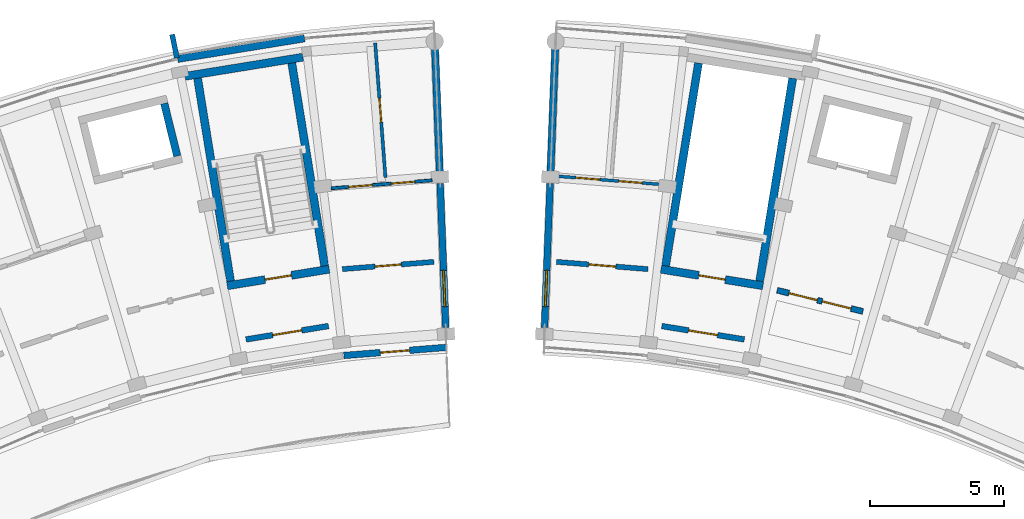
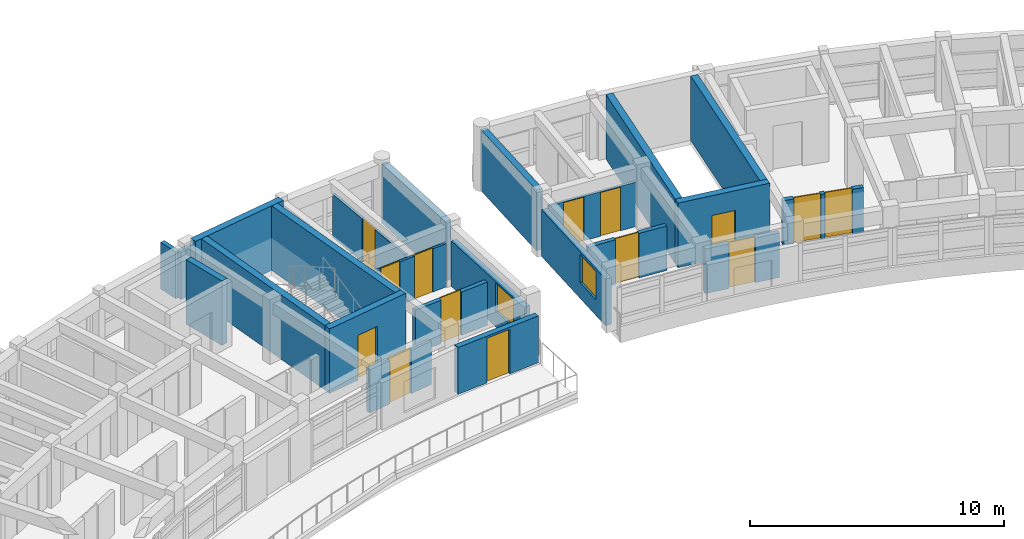
# One storey, part 16 of 23: 23 walls, 14 doors, 2 windows, 16 openings.
"""IFC4 building model written with IfcOpenShell, lengths in metres."""

from ifc_helpers import new_model, si_unit, direction, frame, frame_2d, origin, place, context, subcontext, project, spatial, rectangle, extrude, material, layer, layer_set, type_object, element, fill, save


model = new_model("IFC4")

# Units and contexts
model_context = context("Model", 3, precision=1e-05, world=origin(), true_north=direction((0.0, 1.0)))
body_context = subcontext(model_context, "Body", "Model", "MODEL_VIEW")
ifc_project = project(units=[si_unit("LENGTHUNIT", "METRE"), si_unit("AREAUNIT", "SQUARE_METRE"), si_unit("VOLUMEUNIT", "CUBIC_METRE"), si_unit("PLANEANGLEUNIT", "RADIAN"), si_unit("MASSUNIT", "GRAM", prefix="KILO")], contexts=[model_context])

# Site, building, storey
site_placement = place(None, origin())
site = spatial("IfcSite", under=ifc_project, at=site_placement, CompositionType="ELEMENT")
building_placement = place(site_placement, origin())
building = spatial("IfcBuilding", under=site, at=building_placement, Name="Zimvara Arc Housing Community", CompositionType="ELEMENT")
storey_placement = place(building_placement, frame((0.0, 0.0, 36.0)))
storey = spatial("IfcBuildingStorey", under=building, at=storey_placement, Name="L11", CompositionType="ELEMENT", Elevation=36.0)

# Wall, opening, window
ifc_material_1 = material(Name="Board-Marked Fair-Faced Concrete C35/45", Category="concrete")
ifc_layer_1 = layer(ifc_material_1, 0.2548828125)
ifc_layer_set_1 = layer_set([ifc_layer_1], Name="Board-Marked Fair-Faced Concrete C35/45")
wall_type_1 = type_object("IfcWallType", Name="EWL-CONC-255", PredefinedType="SOLIDWALL", material=ifc_layer_set_1)
wall_1_placement = place(storey_placement, frame((43.151123046875, 92.62451171875, 0.0), z_axis=(0.0, 0.0, 1.0), x_axis=(-0.038384504742, 0.999263043345, 0.0)))
wall_1 = element("IfcWall", 1, at=wall_1_placement, inside=storey, type_object=wall_type_1, Name="ewall:blkA:L11:gN", PredefinedType="SOLIDWALL", context=body_context, shape_type="SweptSolid", body=[
    extrude(rectangle(XDim=5.39990234375, YDim=0.2548828125, at=frame_2d((2.699951171875, 0.0))), origin(), (0.0, 0.0, 1.0), 2.179931640625),
])
opening_1_placement = place(wall_1_placement, frame((0.7900390625, 0.0, 0.75)))
opening_1 = element("IfcOpeningElement", 2, at=opening_1_placement, cuts=wall_1, Name="Opening W12", PredefinedType="OPENING", context=body_context, shape_type="SweptSolid", body=[
    extrude(rectangle(XDim=1.35009765625, YDim=1.35009765625, at=frame_2d((0.675048828125, 0.675048828125))), frame((0.0, 0.137451171875, 0.0), z_axis=(0.0, -1.0, 0.0), x_axis=(1.0, 0.0, 0.0)), (0.0, 0.0, 1.0), 0.27490234375),
])
ifc_material_2 = material(Name="Solar Control Low-E Double Glazing", Category="glass")
window_type = type_object("IfcWindowType", Name="WIN-RES-1350x1350", PartitioningType="DOUBLE_PANEL_VERTICAL", PredefinedType="WINDOW", material=ifc_material_2)
window_1_placement = place(opening_1_placement, origin())
window_1 = element("IfcWindow", 3, at=window_1_placement, inside=storey, type_object=window_type, Name="win:blkA:L11:gN:w", OverallHeight=1.35009765625, OverallWidth=1.35009765625, PartitioningType="DOUBLE_PANEL_VERTICAL", PredefinedType="WINDOW", context=body_context, shape_type="SweptSolid", body=[
    extrude(rectangle(XDim=1.35009765625, YDim=1.35009765625, at=frame_2d((0.675048828125, 0.675048828125))), frame((0.0, 0.030029296875, 0.0), z_axis=(0.0, -1.0, 0.0), x_axis=(1.0, 0.0, 0.0)), (0.0, 0.0, 1.0), 0.06005859375),
])
fill(opening_1, window_1)

wall_2_placement = place(storey_placement, frame((46.848876953125, 92.62451171875, 0.0), z_axis=(0.0, 0.0, 1.0), x_axis=(0.038384504742, 0.999263043345, 0.0)))
wall_2 = element("IfcWall", 4, at=wall_2_placement, inside=storey, type_object=wall_type_1, Name="ewall:blkB:L11:g0", PredefinedType="SOLIDWALL", context=body_context, shape_type="SweptSolid", body=[
    extrude(rectangle(XDim=5.39990234375, YDim=0.2548828125, at=frame_2d((2.699951171875, 0.0))), origin(), (0.0, 0.0, 1.0), 2.239990234375),
])
opening_2_placement = place(wall_2_placement, frame((0.7900390625, 0.0, 0.75)))
opening_2 = element("IfcOpeningElement", 5, at=opening_2_placement, cuts=wall_2, Name="Opening W12", PredefinedType="OPENING", context=body_context, shape_type="SweptSolid", body=[
    extrude(rectangle(XDim=1.35009765625, YDim=1.35009765625, at=frame_2d((0.675048828125, 0.675048828125))), frame((0.0, 0.137451171875, 0.0), z_axis=(0.0, -1.0, 0.0), x_axis=(1.0, 0.0, 0.0)), (0.0, 0.0, 1.0), 0.27490234375),
])
window_2_placement = place(opening_2_placement, origin())
window_2 = element("IfcWindow", 6, at=window_2_placement, inside=storey, type_object=window_type, Name="win:blkB:L11:g0:w", OverallHeight=1.35009765625, OverallWidth=1.35009765625, PartitioningType="DOUBLE_PANEL_VERTICAL", PredefinedType="WINDOW", context=body_context, shape_type="SweptSolid", body=[
    extrude(rectangle(XDim=1.35009765625, YDim=1.35009765625, at=frame_2d((0.675048828125, 0.675048828125))), frame((0.0, 0.030029296875, 0.0), z_axis=(0.0, -1.0, 0.0), x_axis=(1.0, 0.0, 0.0)), (0.0, 0.0, 1.0), 0.06005859375),
])
fill(opening_2, window_2)

# Wall
ifc_material_3 = material(Name="Board-Marked Fair-Faced Concrete C35/45", Category="concrete")
ifc_layer_2 = layer(ifc_material_3, 0.195068359375)
ifc_layer_set_2 = layer_set([ifc_layer_2], Name="Board-Marked Fair-Faced Concrete C35/45")
wall_type_2 = type_object("IfcWallType", Name="EWL-PARA-195", PredefinedType="PARAPET", material=ifc_layer_set_2)
wall_3_placement = place(storey_placement, frame((33.092529296875, 102.714599609375, 0.0), z_axis=(0.0, 0.0, 1.0), x_axis=(-0.200183211319, 0.979758481416, 0.0)))
element("IfcWall", 7, at=wall_3_placement, inside=storey, type_object=wall_type_2, Name="finwall:blkA:L11:out:b8", PredefinedType="PARAPET", context=body_context, shape_type="SweptSolid", body=[
    extrude(rectangle(XDim=0.900146484375, YDim=0.195068359375, at=frame_2d((0.4501953125, 0.0))), origin(), (0.0, 0.0, 1.0), 2.25),
])

# Wall, opening, door
ifc_material_4 = material(Name="Pigmented Fair-Faced Concrete C35/45", Category="concrete")
ifc_layer_3 = layer(ifc_material_4, 0.2451171875)
ifc_layer_set_3 = layer_set([ifc_layer_3], Name="Pigmented Fair-Faced Concrete C35/45")
wall_type_3 = type_object("IfcWallType", Name="EWL-PIGM-245", PredefinedType="SOLIDWALL", material=ifc_layer_set_3)
wall_4_placement = place(storey_placement, frame((39.339599609375, 91.580078125, 0.0), z_axis=(0.0, 0.0, 1.0), x_axis=(0.996859487839, 0.07919066552, 0.0)))
wall_4 = element("IfcWall", 8, at=wall_4_placement, inside=storey, type_object=wall_type_3, Name="ewall:blkA:L11:in:b9", PredefinedType="SOLIDWALL", context=body_context, shape_type="SweptSolid", body=[
    extrude(rectangle(XDim=3.83203125, YDim=0.2451171875, at=frame_2d((1.916015625, 0.0))), origin(), (0.0, 0.0, 1.0), 2.25),
])
opening_3_placement = place(wall_4_placement, frame((1.3662109375, 0.0, 0.0)))
opening_3 = element("IfcOpeningElement", 9, at=opening_3_placement, cuts=wall_4, Name="Opening ED06", PredefinedType="OPENING", context=body_context, shape_type="SweptSolid", body=[
    extrude(rectangle(XDim=1.10009765625, YDim=2.14990234375, at=frame_2d((0.550048828125, 1.074951171875))), frame((0.0, 0.132568359375, 0.0), z_axis=(0.0, -1.0, 0.0), x_axis=(1.0, 0.0, 0.0)), (0.0, 0.0, 1.0), 0.26513671875),
])
ifc_material_5 = material(Name="Anodised Aluminium AW-6063", Category="aluminium")
door_type_1 = type_object("IfcDoorType", Name="EDR-TERR-1100x2150", OperationType="NOTDEFINED", PredefinedType="DOOR", material=ifc_material_5)
door_1_placement = place(opening_3_placement, origin())
door_1 = element("IfcDoor", 10, at=door_1_placement, inside=storey, type_object=door_type_1, Name="edoor:blkA:L11:terr:b9", OperationType="SINGLE_SWING_LEFT", OverallHeight=2.14990234375, OverallWidth=1.10009765625, PredefinedType="DOOR", context=body_context, shape_type="SweptSolid", body=[
    extrude(rectangle(XDim=1.10009765625, YDim=2.14990234375, at=frame_2d((0.550048828125, 1.074951171875))), frame((0.0, 0.02490234375, 0.0), z_axis=(0.0, -1.0, 0.0), x_axis=(1.0, 0.0, 0.0)), (0.0, 0.0, 1.0), 0.050048828125),
])
fill(opening_3, door_1)

# Wall
ifc_material_6 = material(Name="Board-Marked Fair-Faced Concrete C35/45", Category="concrete")
ifc_layer_4 = layer(ifc_material_6, 0.27197265625)
ifc_layer_set_4 = layer_set([ifc_layer_4], Name="Board-Marked Fair-Faced Concrete C35/45")
wall_type_4 = type_object("IfcWallType", Name="EWL-VAR-22", PredefinedType="SOLIDWALL", material=ifc_layer_set_4)
wall_5_placement = place(storey_placement, frame((33.120361328125, 102.6787109375, 0.0), z_axis=(0.0, 0.0, 1.0), x_axis=(0.987080750493, 0.160223568819, 0.0)))
element("IfcWall", 11, at=wall_5_placement, inside=storey, type_object=wall_type_4, Name="ewall:blkA:L11:out:b8", PredefinedType="SOLIDWALL", context=body_context, shape_type="SweptSolid", body=[
    extrude(rectangle(XDim=4.808837890625, YDim=0.27197265625, at=frame_2d((2.404296875, 0.0))), origin(), (0.0, 0.0, 1.0), 2.25),
])

# Wall, opening, door
ifc_material_7 = material(Name="Concrete C35/45", Category="concrete")
ifc_layer_5 = layer(ifc_material_7, 0.2099609375)
ifc_layer_set_5 = layer_set([ifc_layer_5], Name="Concrete C35/45")
wall_type_5 = type_object("IfcWallType", Name="IWL-CCF-210", PredefinedType="SOLIDWALL", material=ifc_layer_set_5)
wall_6_placement = place(storey_placement, frame((35.675537109375, 92.181396484375, 0.0), z_axis=(0.0, 0.0, 1.0), x_axis=(0.98707079686, 0.160284877599, 0.0)))
wall_6 = element("IfcWall", 12, at=wall_6_placement, inside=storey, type_object=wall_type_5, Name="iwall:blkA:L11:ccf_div:b8", PredefinedType="SOLIDWALL", context=body_context, shape_type="SweptSolid", body=[
    extrude(rectangle(XDim=3.128662109375, YDim=0.2099609375, at=frame_2d((1.564453125, 0.0))), origin(), (0.0, 0.0, 1.0), 2.080078125),
])
opening_4_placement = place(wall_6_placement, frame((1.014404296875, 0.0, 0.0)))
opening_4 = element("IfcOpeningElement", 13, at=opening_4_placement, cuts=wall_6, Name="Opening FD-CCF1", PredefinedType="OPENING", context=body_context, shape_type="SweptSolid", body=[
    extrude(rectangle(XDim=1.10009765625, YDim=2.14990234375, at=frame_2d((0.550048828125, 1.074951171875))), frame((0.0, 0.114990234375, 0.0), z_axis=(0.0, -1.0, 0.0), x_axis=(1.0, 0.0, 0.0)), (0.0, 0.0, 1.0), 0.22998046875),
])
ifc_material_8 = material(Name="Anodised Aluminium AW-6063", Category="aluminium")
door_type_2 = type_object("IfcDoorType", Name="IDR-CCF-1100x2150", OperationType="NOTDEFINED", PredefinedType="DOOR", material=ifc_material_8)
door_2_placement = place(opening_4_placement, origin())
door_2 = element("IfcDoor", 14, at=door_2_placement, inside=storey, type_object=door_type_2, Name="idoor:blkA:L11:ccf_in:b8", OperationType="SINGLE_SWING_LEFT", OverallHeight=2.14990234375, OverallWidth=1.10009765625, PredefinedType="DOOR", context=body_context, shape_type="SweptSolid", body=[
    extrude(rectangle(XDim=1.10009765625, YDim=2.14990234375, at=frame_2d((0.550048828125, 1.074951171875))), frame((0.0, 0.02490234375, 0.0), z_axis=(0.0, -1.0, 0.0), x_axis=(1.0, 0.0, 0.0)), (0.0, 0.0, 1.0), 0.050048828125),
])
fill(opening_4, door_2)

wall_7_placement = place(storey_placement, frame((51.236328125, 92.682861328125, 0.0), z_axis=(0.0, 0.0, 1.0), x_axis=(0.98707079686, -0.160284877599, 0.0)))
wall_7 = element("IfcWall", 15, at=wall_7_placement, inside=storey, type_object=wall_type_5, Name="iwall:blkB:L11:ccf_div:b1", PredefinedType="SOLIDWALL", context=body_context, shape_type="SweptSolid", body=[
    extrude(rectangle(XDim=3.128662109375, YDim=0.2099609375, at=frame_2d((1.564453125, 0.0))), origin(), (0.0, 0.0, 1.0), 2.139892578125),
])
opening_5_placement = place(wall_7_placement, frame((1.014404296875, 0.0, 0.0)))
opening_5 = element("IfcOpeningElement", 16, at=opening_5_placement, cuts=wall_7, Name="Opening FD-CCF1", PredefinedType="OPENING", context=body_context, shape_type="SweptSolid", body=[
    extrude(rectangle(XDim=1.10009765625, YDim=2.14990234375, at=frame_2d((0.550048828125, 1.074951171875))), frame((0.0, 0.114990234375, 0.0), z_axis=(0.0, -1.0, 0.0), x_axis=(1.0, 0.0, 0.0)), (0.0, 0.0, 1.0), 0.22998046875),
])
door_3_placement = place(opening_5_placement, origin())
door_3 = element("IfcDoor", 17, at=door_3_placement, inside=storey, type_object=door_type_2, Name="idoor:blkB:L11:ccf_in:b1", OperationType="SINGLE_SWING_RIGHT", OverallHeight=2.14990234375, OverallWidth=1.10009765625, PredefinedType="DOOR", context=body_context, shape_type="SweptSolid", body=[
    extrude(rectangle(XDim=1.10009765625, YDim=2.14990234375, at=frame_2d((0.550048828125, 1.074951171875))), frame((0.0, 0.02490234375, 0.0), z_axis=(0.0, -1.0, 0.0), x_axis=(1.0, 0.0, 0.0)), (0.0, 0.0, 1.0), 0.050048828125),
])
fill(opening_5, door_3)

# Wall, openings, doors
wall_8_placement = place(storey_placement, frame((55.5576171875, 94.021728515625, 0.0), z_axis=(0.0, 0.0, 1.0), x_axis=(0.970719238682, -0.240216901263, 0.0)))
wall_8 = element("IfcWall", 18, at=wall_8_placement, inside=storey, type_object=wall_type_5, Name="iwall:blkB:L11:ll_div:b2", PredefinedType="SOLIDWALL", context=body_context, shape_type="SweptSolid", body=[
    extrude(rectangle(XDim=3.2958984375, YDim=0.2099609375, at=frame_2d((1.64794921875, 0.0))), origin(), (0.0, 0.0, 1.0), 2.139892578125),
])
opening_6_placement = place(wall_8_placement, frame((0.449951171875, 0.0, 0.0)))
opening_6 = element("IfcOpeningElement", 19, at=opening_6_placement, cuts=wall_8, Name="Opening FD-CCF1", PredefinedType="OPENING", context=body_context, shape_type="SweptSolid", body=[
    extrude(rectangle(XDim=1.10009765625, YDim=2.14990234375, at=frame_2d((0.550048828125, 1.074951171875))), frame((0.0, 0.114990234375, 0.0), z_axis=(0.0, -1.0, 0.0), x_axis=(1.0, 0.0, 0.0)), (0.0, 0.0, 1.0), 0.22998046875),
])
opening_7_placement = place(wall_8_placement, frame((1.72607421875, 0.0, 0.0)))
opening_7 = element("IfcOpeningElement", 20, at=opening_7_placement, cuts=wall_8, Name="Opening D07", PredefinedType="OPENING", context=body_context, shape_type="SweptSolid", body=[
    extrude(rectangle(XDim=1.1201171875, YDim=2.14990234375, at=frame_2d((0.56005859375, 1.074951171875))), frame((0.0, 0.114990234375, 0.0), z_axis=(0.0, -1.0, 0.0), x_axis=(1.0, 0.0, 0.0)), (0.0, 0.0, 1.0), 0.22998046875),
])
ifc_material_9 = material(Name="Mozambican Hardwood", Category="wood")
door_type_3 = type_object("IfcDoorType", Name="IDR-AMN-1120x2150", OperationType="NOTDEFINED", PredefinedType="DOOR", material=ifc_material_9)
door_4_placement = place(opening_7_placement, origin())
door_4 = element("IfcDoor", 21, at=door_4_placement, inside=storey, type_object=door_type_3, Name="idoor:blkB:L11:rs_in:b2", OperationType="SINGLE_SWING_RIGHT", OverallHeight=2.14990234375, OverallWidth=1.1201171875, PredefinedType="DOOR", context=body_context, shape_type="SweptSolid", body=[
    extrude(rectangle(XDim=1.1201171875, YDim=2.14990234375, at=frame_2d((0.56005859375, 1.074951171875))), frame((0.0, 0.02490234375, 0.0), z_axis=(0.0, -1.0, 0.0), x_axis=(1.0, 0.0, 0.0)), (0.0, 0.0, 1.0), 0.050048828125),
])
fill(opening_7, door_4)
door_5_placement = place(opening_6_placement, origin())
door_5 = element("IfcDoor", 22, at=door_5_placement, inside=storey, type_object=door_type_2, Name="idoor:blkB:L11:ll_in:b2", OperationType="SINGLE_SWING_LEFT", OverallHeight=2.14990234375, OverallWidth=1.10009765625, PredefinedType="DOOR", context=body_context, shape_type="SweptSolid", body=[
    extrude(rectangle(XDim=1.10009765625, YDim=2.14990234375, at=frame_2d((0.550048828125, 1.074951171875))), frame((0.0, 0.02490234375, 0.0), z_axis=(0.0, -1.0, 0.0), x_axis=(1.0, 0.0, 0.0)), (0.0, 0.0, 1.0), 0.050048828125),
])
fill(opening_6, door_5)

# Wall, opening, door
ifc_material_10 = material(Name="Concrete C35/45", Category="concrete")
ifc_layer_6 = layer(ifc_material_10, 0.18994140625)
ifc_layer_set_6 = layer_set([ifc_layer_6], Name="Concrete C35/45")
wall_type_6 = type_object("IfcWallType", Name="IWL-CORR-190", PredefinedType="SOLIDWALL", material=ifc_layer_set_6)
wall_9_placement = place(storey_placement, frame((39.281494140625, 94.81298828125, 0.0), z_axis=(0.0, 0.0, 1.0), x_axis=(0.996862545573, 0.079152165058, 0.0)))
wall_9 = element("IfcWall", 23, at=wall_9_placement, inside=storey, type_object=wall_type_6, Name="iwall:blkA:L11:corr_out:b9", PredefinedType="SOLIDWALL", context=body_context, shape_type="SweptSolid", body=[
    extrude(rectangle(XDim=3.43603515625, YDim=0.18994140625, at=frame_2d((1.718017578125, 0.0))), origin(), (0.0, 0.0, 1.0), 2.080078125),
])
opening_8_placement = place(wall_9_placement, frame((1.22802734375, 0.0, 0.0)))
opening_8 = element("IfcOpeningElement", 24, at=opening_8_placement, cuts=wall_9, Name="Opening FD-FL1", PredefinedType="OPENING", context=body_context, shape_type="SweptSolid", body=[
    extrude(rectangle(XDim=0.97998046875, YDim=2.14990234375, at=frame_2d((0.489990234375, 1.074951171875))), frame((0.0, 0.10498046875, 0.0), z_axis=(0.0, -1.0, 0.0), x_axis=(1.0, 0.0, 0.0)), (0.0, 0.0, 1.0), 0.2099609375),
])
ifc_material_11 = material(Name="Mozambican Hardwood", Category="wood")
door_type_4 = type_object("IfcDoorType", Name="IDR-FLAT-0980x2150", OperationType="NOTDEFINED", PredefinedType="DOOR", material=ifc_material_11)
door_6_placement = place(opening_8_placement, origin())
door_6 = element("IfcDoor", 25, at=door_6_placement, inside=storey, type_object=door_type_4, Name="idoor:blkA:L11:flat:b9", OperationType="SINGLE_SWING_RIGHT", OverallHeight=2.14990234375, OverallWidth=0.97998046875, PredefinedType="DOOR", context=body_context, shape_type="SweptSolid", body=[
    extrude(rectangle(XDim=0.97998046875, YDim=2.14990234375, at=frame_2d((0.489990234375, 1.074951171875))), frame((0.0, 0.02490234375, 0.0), z_axis=(0.0, -1.0, 0.0), x_axis=(1.0, 0.0, 0.0)), (0.0, 0.0, 1.0), 0.050048828125),
])
fill(opening_8, door_6)

wall_10_placement = place(storey_placement, frame((47.293212890625, 95.0849609375, 0.0), z_axis=(0.0, 0.0, 1.0), x_axis=(0.996862545573, -0.079152165058, 0.0)))
wall_10 = element("IfcWall", 26, at=wall_10_placement, inside=storey, type_object=wall_type_6, Name="iwall:blkB:L11:corr_out:b0", PredefinedType="SOLIDWALL", context=body_context, shape_type="SweptSolid", body=[
    extrude(rectangle(XDim=3.43603515625, YDim=0.18994140625, at=frame_2d((1.718017578125, 0.0))), origin(), (0.0, 0.0, 1.0), 2.139892578125),
])
opening_9_placement = place(wall_10_placement, frame((1.2080078125, 0.0, 0.0)))
opening_9 = element("IfcOpeningElement", 27, at=opening_9_placement, cuts=wall_10, Name="Opening FD-FL2", PredefinedType="OPENING", context=body_context, shape_type="SweptSolid", body=[
    extrude(rectangle(XDim=1.02001953125, YDim=2.14990234375, at=frame_2d((0.510009765625, 1.074951171875))), frame((0.0, 0.10498046875, 0.0), z_axis=(0.0, -1.0, 0.0), x_axis=(1.0, 0.0, 0.0)), (0.0, 0.0, 1.0), 0.2099609375),
])
ifc_material_12 = material(Name="Mozambican Hardwood", Category="wood")
door_type_5 = type_object("IfcDoorType", Name="IDR-FLAT-1020x2150", OperationType="NOTDEFINED", PredefinedType="DOOR", material=ifc_material_12)
door_7_placement = place(opening_9_placement, origin())
door_7 = element("IfcDoor", 28, at=door_7_placement, inside=storey, type_object=door_type_5, Name="idoor:blkB:L11:flat:b0", OperationType="SINGLE_SWING_RIGHT", OverallHeight=2.14990234375, OverallWidth=1.02001953125, PredefinedType="DOOR", context=body_context, shape_type="SweptSolid", body=[
    extrude(rectangle(XDim=1.02001953125, YDim=2.14990234375, at=frame_2d((0.510009765625, 1.074951171875))), frame((0.0, 0.02490234375, 0.0), z_axis=(0.0, -1.0, 0.0), x_axis=(1.0, 0.0, 0.0)), (0.0, 0.0, 1.0), 0.050048828125),
])
fill(opening_9, door_7)

# Wall, openings, doors
ifc_material_13 = material(Name="Painted Acoustic Plasterboard")
ifc_layer_7 = layer(ifc_material_13, 0.110107421875)
ifc_layer_set_7 = layer_set([ifc_layer_7], Name="Painted Acoustic Plasterboard")
wall_type_7 = type_object("IfcWallType", Name="IWL-PART-110", PredefinedType="PARTITIONING", material=ifc_layer_set_7)
wall_11_placement = place(storey_placement, frame((38.8662109375, 97.837158203125, 0.0), z_axis=(0.0, 0.0, 1.0), x_axis=(0.996863292793, 0.079142753818, 0.0)))
wall_11 = element("IfcWall", 29, at=wall_11_placement, inside=storey, type_object=wall_type_7, Name="iwall:blkA:L11:srv:b9", PredefinedType="PARTITIONING", context=body_context, shape_type="SweptSolid", body=[
    extrude(rectangle(XDim=3.78515625, YDim=0.110107421875, at=frame_2d((1.892578125, 0.0))), origin(), (0.0, 0.0, 1.0), 2.080078125),
])
opening_10_placement = place(wall_11_placement, frame((0.64990234375, 0.0, 0.0)))
opening_10 = element("IfcOpeningElement", 30, at=opening_10_placement, cuts=wall_11, Name="Opening D01", PredefinedType="OPENING", context=body_context, shape_type="SweptSolid", body=[
    extrude(rectangle(XDim=0.89990234375, YDim=2.10009765625, at=frame_2d((0.449951171875, 1.050048828125))), frame((0.0, 0.06494140625, 0.0), z_axis=(0.0, -1.0, 0.0), x_axis=(1.0, 0.0, 0.0)), (0.0, 0.0, 1.0), 0.130126953125),
])
opening_11_placement = place(wall_11_placement, frame((2.255126953125, 0.0, 0.0)))
opening_11 = element("IfcOpeningElement", 31, at=opening_11_placement, cuts=wall_11, Name="Opening D05", PredefinedType="OPENING", context=body_context, shape_type="SweptSolid", body=[
    extrude(rectangle(XDim=0.8798828125, YDim=2.10009765625, at=frame_2d((0.43994140625, 1.050048828125))), frame((0.0, 0.06494140625, 0.0), z_axis=(0.0, -1.0, 0.0), x_axis=(1.0, 0.0, 0.0)), (0.0, 0.0, 1.0), 0.130126953125),
])
ifc_material_14 = material(Name="Mozambican Hardwood", Category="wood")
door_type_6 = type_object("IfcDoorType", Name="IDR-RM-0900x2100", OperationType="NOTDEFINED", PredefinedType="DOOR", material=ifc_material_14)
door_8_placement = place(opening_10_placement, origin())
door_8 = element("IfcDoor", 32, at=door_8_placement, inside=storey, type_object=door_type_6, Name="idoor:blkA:L11:kit_liv:b9", OperationType="SINGLE_SWING_LEFT", OverallHeight=2.10009765625, OverallWidth=0.89990234375, PredefinedType="DOOR", context=body_context, shape_type="SweptSolid", body=[
    extrude(rectangle(XDim=0.89990234375, YDim=2.10009765625, at=frame_2d((0.449951171875, 1.050048828125))), frame((0.0, 0.02490234375, 0.0), z_axis=(0.0, -1.0, 0.0), x_axis=(1.0, 0.0, 0.0)), (0.0, 0.0, 1.0), 0.050048828125),
])
fill(opening_10, door_8)
ifc_material_15 = material(Name="Mozambican Hardwood", Category="wood")
door_type_7 = type_object("IfcDoorType", Name="IDR-WC-0880x2100", OperationType="NOTDEFINED", PredefinedType="DOOR", material=ifc_material_15)
door_9_placement = place(opening_11_placement, origin())
door_9 = element("IfcDoor", 33, at=door_9_placement, inside=storey, type_object=door_type_7, Name="idoor:blkA:L11:bath_d:b9", OperationType="SINGLE_SWING_RIGHT", OverallHeight=2.10009765625, OverallWidth=0.8798828125, PredefinedType="DOOR", context=body_context, shape_type="SweptSolid", body=[
    extrude(rectangle(XDim=0.8798828125, YDim=2.10009765625, at=frame_2d((0.43994140625, 1.050048828125))), frame((0.0, 0.02490234375, 0.0), z_axis=(0.0, -1.0, 0.0), x_axis=(1.0, 0.0, 0.0)), (0.0, 0.0, 1.0), 0.050048828125),
])
fill(opening_11, door_9)

wall_12_placement = place(storey_placement, frame((47.3662109375, 98.28662109375, 0.0), z_axis=(0.0, 0.0, 1.0), x_axis=(0.996863138536, -0.079144696778, 0.0)))
wall_12 = element("IfcWall", 34, at=wall_12_placement, inside=storey, type_object=wall_type_7, Name="iwall:blkB:L11:srv:b0", PredefinedType="PARTITIONING", context=body_context, shape_type="SweptSolid", body=[
    extrude(rectangle(XDim=3.79736328125, YDim=0.110107421875, at=frame_2d((1.898681640625, 0.0))), origin(), (0.0, 0.0, 1.0), 2.139892578125),
])
opening_12_placement = place(wall_12_placement, frame((0.64990234375, 0.0, 0.0)))
opening_12 = element("IfcOpeningElement", 35, at=opening_12_placement, cuts=wall_12, Name="Opening D01", PredefinedType="OPENING", context=body_context, shape_type="SweptSolid", body=[
    extrude(rectangle(XDim=0.89990234375, YDim=2.10009765625, at=frame_2d((0.449951171875, 1.050048828125))), frame((0.0, 0.06494140625, 0.0), z_axis=(0.0, -1.0, 0.0), x_axis=(1.0, 0.0, 0.0)), (0.0, 0.0, 1.0), 0.130126953125),
])
opening_13_placement = place(wall_12_placement, frame((2.267333984375, 0.0, 0.0)))
opening_13 = element("IfcOpeningElement", 36, at=opening_13_placement, cuts=wall_12, Name="Opening D05", PredefinedType="OPENING", context=body_context, shape_type="SweptSolid", body=[
    extrude(rectangle(XDim=0.8798828125, YDim=2.10009765625, at=frame_2d((0.43994140625, 1.050048828125))), frame((0.0, 0.06494140625, 0.0), z_axis=(0.0, -1.0, 0.0), x_axis=(1.0, 0.0, 0.0)), (0.0, 0.0, 1.0), 0.130126953125),
])
door_10_placement = place(opening_12_placement, origin())
door_10 = element("IfcDoor", 37, at=door_10_placement, inside=storey, type_object=door_type_6, Name="idoor:blkB:L11:kit_liv:b0", OperationType="SINGLE_SWING_LEFT", OverallHeight=2.10009765625, OverallWidth=0.89990234375, PredefinedType="DOOR", context=body_context, shape_type="SweptSolid", body=[
    extrude(rectangle(XDim=0.89990234375, YDim=2.10009765625, at=frame_2d((0.449951171875, 1.050048828125))), frame((0.0, 0.02490234375, 0.0), z_axis=(0.0, -1.0, 0.0), x_axis=(1.0, 0.0, 0.0)), (0.0, 0.0, 1.0), 0.050048828125),
])
fill(opening_12, door_10)
door_11_placement = place(opening_13_placement, origin())
door_11 = element("IfcDoor", 38, at=door_11_placement, inside=storey, type_object=door_type_7, Name="idoor:blkB:L11:bath_d:b0", OperationType="SINGLE_SWING_RIGHT", OverallHeight=2.10009765625, OverallWidth=0.8798828125, PredefinedType="DOOR", context=body_context, shape_type="SweptSolid", body=[
    extrude(rectangle(XDim=0.8798828125, YDim=2.10009765625, at=frame_2d((0.43994140625, 1.050048828125))), frame((0.0, 0.02490234375, 0.0), z_axis=(0.0, -1.0, 0.0), x_axis=(1.0, 0.0, 0.0)), (0.0, 0.0, 1.0), 0.050048828125),
])
fill(opening_13, door_11)

# Wall, opening, door
ifc_material_16 = material(Name="Painted Acoustic Plasterboard")
ifc_layer_8 = layer(ifc_material_16, 0.1201171875)
ifc_layer_set_8 = layer_set([ifc_layer_8], Name="Painted Acoustic Plasterboard")
wall_type_8 = type_object("IfcWallType", Name="IWL-PART-120", PredefinedType="PARTITIONING", material=ifc_layer_set_8)
wall_13_placement = place(storey_placement, frame((40.8955078125, 98.243408203125, 0.0), z_axis=(0.0, 0.0, 1.0), x_axis=(-0.076141951799, 0.997096987848, 0.0)))
wall_13 = element("IfcWall", 39, at=wall_13_placement, inside=storey, type_object=wall_type_8, Name="iwall:blkA:L11:bed_div:b9", PredefinedType="PARTITIONING", context=body_context, shape_type="SweptSolid", body=[
    extrude(rectangle(XDim=5.050048828125, YDim=0.1201171875, at=frame_2d((2.52490234375, 0.0))), origin(), (0.0, 0.0, 1.0), 2.080078125),
])
opening_14_placement = place(wall_13_placement, frame((2.074951171875, 0.0, 0.0)))
opening_14 = element("IfcOpeningElement", 40, at=opening_14_placement, cuts=wall_13, Name="Opening D01", PredefinedType="OPENING", context=body_context, shape_type="SweptSolid", body=[
    extrude(rectangle(XDim=0.89990234375, YDim=2.10009765625, at=frame_2d((0.449951171875, 1.050048828125))), frame((0.0, 0.070068359375, 0.0), z_axis=(0.0, -1.0, 0.0), x_axis=(1.0, 0.0, 0.0)), (0.0, 0.0, 1.0), 0.14013671875),
])
door_12_placement = place(opening_14_placement, origin())
door_12 = element("IfcDoor", 41, at=door_12_placement, inside=storey, type_object=door_type_6, Name="idoor:blkA:L11:bed_d:b9", OperationType="SINGLE_SWING_LEFT", OverallHeight=2.10009765625, OverallWidth=0.89990234375, PredefinedType="DOOR", context=body_context, shape_type="SweptSolid", body=[
    extrude(rectangle(XDim=0.89990234375, YDim=2.10009765625, at=frame_2d((0.449951171875, 1.050048828125))), frame((0.0, 0.02490234375, 0.0), z_axis=(0.0, -1.0, 0.0), x_axis=(1.0, 0.0, 0.0)), (0.0, 0.0, 1.0), 0.050048828125),
])
fill(opening_14, door_12)

# Wall
ifc_material_17 = material(Name="Concrete C40/50", Category="concrete")
ifc_layer_9 = layer(ifc_material_17, 0.280029296875)
ifc_layer_set_9 = layer_set([ifc_layer_9], Name="Concrete C40/50")
wall_type_9 = type_object("IfcWallType", Name="WL-CORE-280", PredefinedType="SHEAR", material=ifc_layer_set_9)
wall_14_placement = place(storey_placement, frame((33.103515625, 99.04443359375, 0.0), z_axis=(0.0, 0.0, 1.0), x_axis=(-0.240186044774, 0.970726873995, 0.0)))
element("IfcWall", 42, at=wall_14_placement, inside=storey, type_object=wall_type_9, Name="lwall:LF-A2:L11:left", PredefinedType="SHEAR", context=body_context, shape_type="SweptSolid", body=[
    extrude(rectangle(XDim=2.02978515625, YDim=0.280029296875, at=frame_2d((1.014892578125, 0.0))), origin(), (0.0, 0.0, 1.0), 3.10009765625),
])

# Wall, opening, door
ifc_material_18 = material(Name="Concrete C40/50", Category="concrete")
ifc_layer_10 = layer(ifc_material_18, 0.300048828125)
ifc_layer_set_10 = layer_set([ifc_layer_10], Name="Concrete C40/50")
wall_type_10 = type_object("IfcWallType", Name="WL-CORE-300", PredefinedType="SHEAR", material=ifc_layer_set_10)
wall_15_placement = place(storey_placement, frame((38.793701171875, 94.810546875, 0.0), z_axis=(0.0, 0.0, 1.0), x_axis=(-0.987077443397, -0.160243941341, 0.0)))
wall_15 = element("IfcWall", 43, at=wall_15_placement, inside=storey, type_object=wall_type_10, Name="cwall:ST-A2:L11:near", PredefinedType="SHEAR", context=body_context, shape_type="SweptSolid", body=[
    extrude(rectangle(XDim=3.869873046875, YDim=0.300048828125, at=frame_2d((1.93505859375, 0.0))), origin(), (0.0, 0.0, 1.0), 3.10009765625),
])
opening_15_placement = place(wall_15_placement, frame((1.43505859375, 0.0, 0.0)))
opening_15 = element("IfcOpeningElement", 44, at=opening_15_placement, cuts=wall_15, Name="Opening FD-ST1", PredefinedType="OPENING", context=body_context, shape_type="SweptSolid", body=[
    extrude(rectangle(XDim=1.0, YDim=2.14990234375, at=frame_2d((0.5, 1.074951171875))), frame((0.0, 0.159912109375, 0.0), z_axis=(0.0, -1.0, 0.0), x_axis=(1.0, 0.0, 0.0)), (0.0, 0.0, 1.0), 0.320068359375),
])
ifc_material_19 = material(Name="Anodised Aluminium AW-6063", Category="aluminium")
door_type_8 = type_object("IfcDoorType", Name="IDR-ST-1000x2150", OperationType="NOTDEFINED", PredefinedType="DOOR", material=ifc_material_19)
door_13_placement = place(opening_15_placement, origin())
door_13 = element("IfcDoor", 45, at=door_13_placement, inside=storey, type_object=door_type_8, Name="idoor:ST-A2:L11:entry", OperationType="SINGLE_SWING_LEFT", OverallHeight=2.14990234375, OverallWidth=1.0, PredefinedType="DOOR", context=body_context, shape_type="SweptSolid", body=[
    extrude(rectangle(XDim=1.0, YDim=2.14990234375, at=frame_2d((0.5, 1.074951171875))), frame((0.0, 0.02490234375, 0.0), z_axis=(0.0, -1.0, 0.0), x_axis=(1.0, 0.0, 0.0)), (0.0, 0.0, 1.0), 0.050048828125),
])
fill(opening_15, door_13)

# Walls
wall_16_placement = place(storey_placement, frame((37.8095703125, 102.745361328125, 0.0), z_axis=(0.0, 0.0, 1.0), x_axis=(-0.987084710126, -0.160199173019, 0.0)))
element("IfcWall", 46, at=wall_16_placement, inside=storey, type_object=wall_type_10, Name="cwall:ST-A2:L11:far", PredefinedType="SHEAR", context=body_context, shape_type="SweptSolid", body=[
    extrude(rectangle(XDim=4.4697265625, YDim=0.300048828125, at=frame_2d((2.23486328125, 0.0))), origin(), (0.0, 0.0, 1.0), 3.10009765625),
])
for number, where, z_axis, x_axis, name in (
    (47, (38.62158203125, 94.9345703125, 0.0), (0.0, 0.0, 1.0), (-0.160196564502, 0.987085133472, 0.0), "cwall:ST-A2:L11:left"),
    (48, (35.097900390625, 94.362548828125, 0.0), (0.0, 0.0, 1.0), (-0.160227496777, 0.987080112897, 0.0), "cwall:ST-A2:L11:right"),
):
    element("IfcWall", number, at=place(storey_placement, frame(where, z_axis=z_axis, x_axis=x_axis)), inside=storey, type_object=wall_type_10, Name=name, PredefinedType="SHEAR", context=body_context, shape_type="SweptSolid", body=[
        extrude(rectangle(XDim=7.690185546875, YDim=0.300048828125, at=frame_2d((3.84521484375, 0.0))), origin(), (0.0, 0.0, 1.0), 3.10009765625),
    ])

# Wall, opening, door
wall_17_placement = place(storey_placement, frame((55.026123046875, 94.1904296875, 0.0), z_axis=(0.0, 0.0, 1.0), x_axis=(-0.987077443397, 0.160243941341, 0.0)))
wall_17 = element("IfcWall", 49, at=wall_17_placement, inside=storey, type_object=wall_type_10, Name="cwall:ST-B1:L11:near", PredefinedType="SHEAR", context=body_context, shape_type="SweptSolid", body=[
    extrude(rectangle(XDim=3.869873046875, YDim=0.300048828125, at=frame_2d((1.93505859375, 0.0))), origin(), (0.0, 0.0, 1.0), 3.10009765625),
])
opening_16_placement = place(wall_17_placement, frame((1.43505859375, 0.0, 0.0)))
opening_16 = element("IfcOpeningElement", 50, at=opening_16_placement, cuts=wall_17, Name="Opening FD-ST1", PredefinedType="OPENING", context=body_context, shape_type="SweptSolid", body=[
    extrude(rectangle(XDim=1.0, YDim=2.14990234375, at=frame_2d((0.5, 1.074951171875))), frame((0.0, 0.159912109375, 0.0), z_axis=(0.0, -1.0, 0.0), x_axis=(1.0, 0.0, 0.0)), (0.0, 0.0, 1.0), 0.320068359375),
])
door_14_placement = place(opening_16_placement, origin())
door_14 = element("IfcDoor", 51, at=door_14_placement, inside=storey, type_object=door_type_8, Name="idoor:ST-B1:L11:entry", OperationType="SINGLE_SWING_LEFT", OverallHeight=2.14990234375, OverallWidth=1.0, PredefinedType="DOOR", context=body_context, shape_type="SweptSolid", body=[
    extrude(rectangle(XDim=1.0, YDim=2.14990234375, at=frame_2d((0.5, 1.074951171875))), frame((0.0, 0.02490234375, 0.0), z_axis=(0.0, -1.0, 0.0), x_axis=(1.0, 0.0, 0.0)), (0.0, 0.0, 1.0), 0.050048828125),
])
fill(opening_16, door_14)

# Walls
for number, where, z_axis, x_axis, name in (
    (52, (54.902099609375, 94.362548828125, 0.0), (0.0, 0.0, 1.0), (0.160227496777, 0.987080112897, 0.0), "cwall:ST-B1:L11:left"),
    (53, (51.37841796875, 94.9345703125, 0.0), (0.0, 0.0, 1.0), (0.160196564502, 0.987085133472, 0.0), "cwall:ST-B1:L11:right"),
):
    element("IfcWall", number, at=place(storey_placement, frame(where, z_axis=z_axis, x_axis=x_axis)), inside=storey, type_object=wall_type_10, Name=name, PredefinedType="SHEAR", context=body_context, shape_type="SweptSolid", body=[
        extrude(rectangle(XDim=7.690185546875, YDim=0.300048828125, at=frame_2d((3.84521484375, 0.0))), origin(), (0.0, 0.0, 1.0), 3.10009765625),
    ])
ifc_material_20 = material(Name="Concrete C40/50", Category="concrete")
ifc_layer_11 = layer(ifc_material_20, 0.27001953125)
ifc_layer_set_11 = layer_set([ifc_layer_11], Name="Concrete C40/50")
wall_type_11 = type_object("IfcWallType", Name="WL-SHEAR-270", PredefinedType="SHEAR", material=ifc_layer_set_11)
wall_18_placement = place(storey_placement, frame((42.927734375, 98.440185546875, 0.0), z_axis=(0.0, 0.0, 1.0), x_axis=(-0.038379487611, 0.999263236055, 0.0)))
element("IfcWall", 54, at=wall_18_placement, inside=storey, type_object=wall_type_11, Name="swall:blkA:L11:east", PredefinedType="SHEAR", context=body_context, shape_type="SweptSolid", body=[
    extrude(rectangle(XDim=4.719970703125, YDim=0.27001953125, at=frame_2d((2.35986328125, 0.0))), origin(), (0.0, 0.0, 1.0), 2.860107421875),
])
wall_19_placement = place(storey_placement, frame((47.072265625, 98.440185546875, 0.0), z_axis=(0.0, 0.0, 1.0), x_axis=(0.038379487611, 0.999263236055, 0.0)))
element("IfcWall", 55, at=wall_19_placement, inside=storey, type_object=wall_type_11, Name="swall:blkB:L11:west", PredefinedType="SHEAR", context=body_context, shape_type="SweptSolid", body=[
    extrude(rectangle(XDim=4.719970703125, YDim=0.27001953125, at=frame_2d((2.35986328125, 0.0))), origin(), (0.0, 0.0, 1.0), 2.919921875),
])

save(model, "model.ifc")
